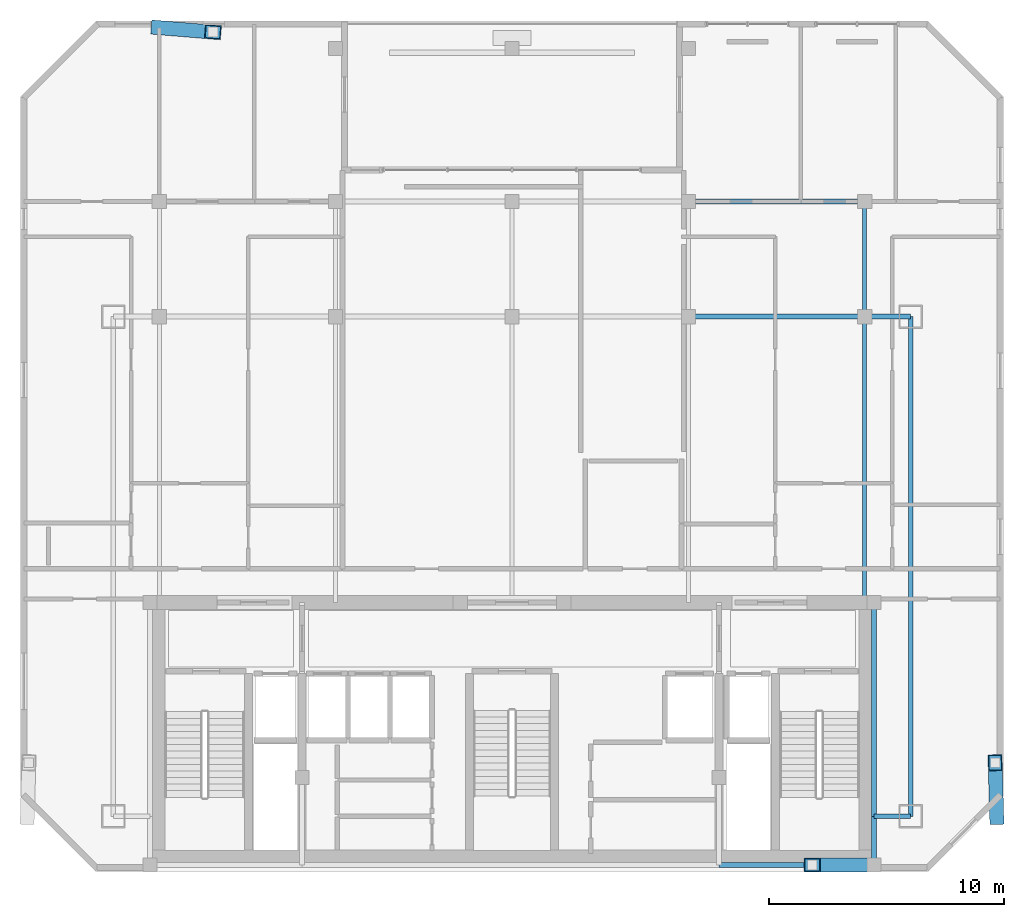
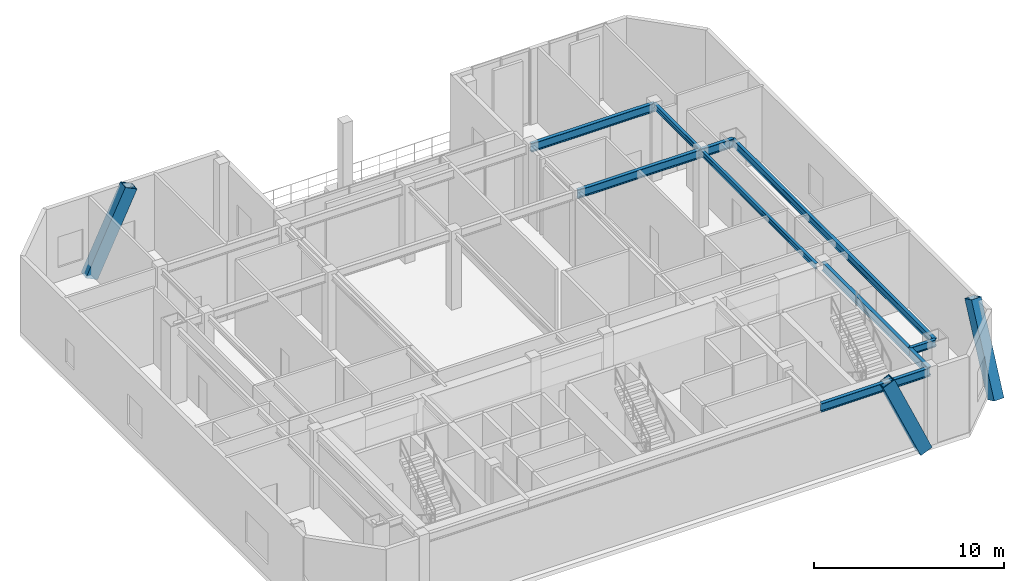
# One storey, part 5 of 12: 10 beams, 3 members.
"""IFC4 building model written with IfcOpenShell, lengths in metres."""

from ifc_helpers import new_model, si_unit, direction, frame, origin, origin_2d, place, context, subcontext, project, spatial, hollow_rectangle, i_section, extrude, material, material_profile, profile_set, type_object, element, save


model = new_model("IFC4")

# Units and contexts
model_context = context("Model", 3, precision=1e-05, world=origin(), true_north=direction((0.0, 1.0)))
body_context = subcontext(model_context, "Body", "Model", "MODEL_VIEW")
ifc_project = project(units=[si_unit("LENGTHUNIT", "METRE"), si_unit("AREAUNIT", "SQUARE_METRE"), si_unit("VOLUMEUNIT", "CUBIC_METRE"), si_unit("PLANEANGLEUNIT", "RADIAN"), si_unit("MASSUNIT", "GRAM", prefix="KILO")], contexts=[model_context])

# Site, building, storey
site_placement = place(None, origin())
site = spatial("IfcSite", under=ifc_project, at=site_placement, CompositionType="ELEMENT")
building_placement = place(site_placement, origin())
building = spatial("IfcBuilding", under=site, at=building_placement, Name="Ventersveld Concourse Tower", CompositionType="ELEMENT")
storey_placement = place(building_placement, frame((0.0, 0.0, 251.699951171875)))
storey = spatial("IfcBuildingStorey", under=building, at=storey_placement, Name="L62", CompositionType="ELEMENT", Elevation=251.699951171875)

# Beams
ifc_material_1 = material(Name="Structural steel S355J2", Category="steel")
ifc_material_profile_1 = material_profile(ifc_material_1, i_section(OverallWidth=0.17138671875, OverallDepth=0.35498046875, WebThickness=0.00732421875, FlangeThickness=0.011474609375, FilletRadius=0.01025390625, at=origin_2d()), Name="UB 356x171x51")
ifc_profile_set_1 = profile_set([ifc_material_profile_1], Name="Structural steel S355J2")
beam_type_1 = type_object("IfcBeamType", Name="BM-UB356", PredefinedType="BEAM", material=ifc_profile_set_1)
beam_1_placement = place(storey_placement, frame((43.75, 11.449951171875, 4.672607421875), z_axis=(0.0, 1.0, 0.0), x_axis=(-1.0, 0.0, 0.0)))
element("IfcBeam", 1, at=beam_1_placement, inside=storey, type_object=beam_type_1, Name="L62 N-S Composite Floor Beam South X=43.75", PredefinedType="BEAM", context=body_context, shape_type="SweptSolid", body=[
    extrude(i_section(OverallWidth=0.17138671875, OverallDepth=0.35498046875, WebThickness=0.00732421875, FlangeThickness=0.011474609375, FilletRadius=0.01025390625, at=origin_2d()), origin(), (0.0, 0.0, 1.0), 12.150146484375),
])
beam_2_placement = place(storey_placement, frame((43.75, 23.60009765625, 4.672607421875), z_axis=(0.0, 1.0, 0.0), x_axis=(-1.0, 0.0, 0.0)))
element("IfcBeam", 2, at=beam_2_placement, inside=storey, type_object=beam_type_1, Name="L62 N-S Upper-Zone Floor Beam X=43.75", PredefinedType="BEAM", context=body_context, shape_type="SweptSolid", body=[
    extrude(i_section(OverallWidth=0.17138671875, OverallDepth=0.35498046875, WebThickness=0.00732421875, FlangeThickness=0.011474609375, FilletRadius=0.01025390625, at=origin_2d()), origin(), (0.0, 0.0, 1.0), 4.89990234375),
])
ifc_material_profile_2 = material_profile(ifc_material_1, i_section(OverallWidth=0.2119140625, OverallDepth=0.54443359375, WebThickness=0.0126953125, FlangeThickness=0.021240234375, FilletRadius=0.0126953125, at=origin_2d()), Name="UB 533x210x122")
ifc_profile_set_2 = profile_set([ifc_material_profile_2], Name="Structural steel S355J2")
beam_type_2 = type_object("IfcBeamType", Name="GRD-UB533H", PredefinedType="T_BEAM", material=ifc_profile_set_2)
beam_3_placement = place(storey_placement, frame((44.14990234375, 0.280029296875, 4.577880859375), z_axis=(0.0, 1.0, 0.0), x_axis=(-1.0, 0.0, 0.0)))
element("IfcBeam", 3, at=beam_3_placement, inside=storey, type_object=beam_type_2, Name="L62 Core East Tie Beam S", PredefinedType="T_BEAM", context=body_context, shape_type="SweptSolid", body=[
    extrude(i_section(OverallWidth=0.2119140625, OverallDepth=0.54443359375, WebThickness=0.0126953125, FlangeThickness=0.021240234375, FilletRadius=0.0126953125, at=origin_2d()), origin(), (0.0, 0.0, 1.0), 2.070068359375),
])
beam_4_placement = place(storey_placement, frame((44.14990234375, 2.35009765625, 4.577880859375), z_axis=(0.0, 1.0, 0.0), x_axis=(-1.0, 0.0, 0.0)))
element("IfcBeam", 4, at=beam_4_placement, inside=storey, type_object=beam_type_2, Name="L62 Core East Tie Beam N", PredefinedType="T_BEAM", context=body_context, shape_type="SweptSolid", body=[
    extrude(i_section(OverallWidth=0.2119140625, OverallDepth=0.54443359375, WebThickness=0.0126953125, FlangeThickness=0.021240234375, FilletRadius=0.0126953125, at=origin_2d()), origin(), (0.0, 0.0, 1.0), 9.099853515625),
])
beam_5_placement = place(storey_placement, frame((37.550048828125, 0.280029296875, 4.577880859375), z_axis=(1.0, 0.0, 0.0), x_axis=(0.0, 1.0, 0.0)))
element("IfcBeam", 5, at=beam_5_placement, inside=storey, type_object=beam_type_2, Name="L62 Core South Tie Beam E", PredefinedType="T_BEAM", context=body_context, shape_type="SweptSolid", body=[
    extrude(i_section(OverallWidth=0.2119140625, OverallDepth=0.54443359375, WebThickness=0.0126953125, FlangeThickness=0.021240234375, FilletRadius=0.0126953125, at=origin_2d()), origin(), (0.0, 0.0, 1.0), 6.599853515625),
])
beam_6_placement = place(storey_placement, frame((36.25, 23.60009765625, 4.577880859375), z_axis=(1.0, 0.0, 0.0), x_axis=(0.0, 1.0, 0.0)))
element("IfcBeam", 6, at=beam_6_placement, inside=storey, type_object=beam_type_2, Name="L62 Primary E-W Grid Girder Y=23.60 #5", PredefinedType="T_BEAM", context=body_context, shape_type="SweptSolid", body=[
    extrude(i_section(OverallWidth=0.2119140625, OverallDepth=0.54443359375, WebThickness=0.0126953125, FlangeThickness=0.021240234375, FilletRadius=0.0126953125, at=origin_2d()), origin(), (0.0, 0.0, 1.0), 7.5),
])
beam_7_placement = place(storey_placement, frame((43.75, 23.60009765625, 4.577880859375), z_axis=(1.0, 0.0, 0.0), x_axis=(0.0, 1.0, 0.0)))
element("IfcBeam", 7, at=beam_7_placement, inside=storey, type_object=beam_type_2, Name="L62 Primary E-W Grid Girder Y=23.60 #6", PredefinedType="T_BEAM", context=body_context, shape_type="SweptSolid", body=[
    extrude(i_section(OverallWidth=0.2119140625, OverallDepth=0.54443359375, WebThickness=0.0126953125, FlangeThickness=0.021240234375, FilletRadius=0.0126953125, at=origin_2d()), origin(), (0.0, 0.0, 1.0), 1.949951171875),
])
beam_8_placement = place(storey_placement, frame((36.25, 28.5, 4.577880859375), z_axis=(1.0, 0.0, 0.0), x_axis=(0.0, 1.0, 0.0)))
element("IfcBeam", 8, at=beam_8_placement, inside=storey, type_object=beam_type_2, Name="L62 Upper-North E-W Girder Y=28.50 #4", PredefinedType="T_BEAM", context=body_context, shape_type="SweptSolid", body=[
    extrude(i_section(OverallWidth=0.2119140625, OverallDepth=0.54443359375, WebThickness=0.0126953125, FlangeThickness=0.021240234375, FilletRadius=0.0126953125, at=origin_2d()), origin(), (0.0, 0.0, 1.0), 7.5),
])

# Members
ifc_material_2 = material(Name="Structural steel S355ML", Category="steel")
ifc_material_profile_3 = material_profile(ifc_material_2, hollow_rectangle(XDim=0.60009765625, YDim=0.75, WallThickness=0.0400390625, at=origin_2d()), Name="BOX 750x600x40")
ifc_profile_set_3 = profile_set([ifc_material_profile_3], Name="Structural steel S355ML")
member_type = type_object("IfcMemberType", Name="MB-750x600", PredefinedType="BRACE", material=ifc_profile_set_3)
member_1_placement = place(storey_placement, frame((13.75, 35.891845703125, -0.280029296875), z_axis=(0.40612529487, -0.033420048342, 0.913206080376), x_axis=(0.082012782502, 0.996631277608, 0.0)))
element("IfcMember", 9, at=member_1_placement, inside=storey, type_object=member_type, Name="L62 Exterior Mega-Brace N (Module M15)", PredefinedType="BRACE", context=body_context, shape_type="SweptSolid", body=[
    extrude(hollow_rectangle(XDim=0.60009765625, YDim=0.75, WallThickness=0.0400390625, at=origin_2d()), origin(), (0.0, 0.0, 1.0), 5.61767578125),
])
member_2_placement = place(storey_placement, frame((43.800048828125, 0.280029296875, -0.280029296875), z_axis=(-0.406388587985, 0.0, 0.91370034232), x_axis=(0.0, -1.0, 0.0)))
element("IfcMember", 10, at=member_2_placement, inside=storey, type_object=member_type, Name="L62 Exterior Mega-Brace S (Module M15)", PredefinedType="BRACE", context=body_context, shape_type="SweptSolid", body=[
    extrude(hollow_rectangle(XDim=0.60009765625, YDim=0.75, WallThickness=0.0400390625, at=origin_2d()), origin(), (0.0, 0.0, 1.0), 5.61474609375),
])
member_3_placement = place(storey_placement, frame((49.364501953125, 2.35009765625, -0.280029296875), z_axis=(-0.011565808268, 0.406325106269, 0.913655372717), x_axis=(-0.999595134419, -0.028452895212, 0.0)))
element("IfcMember", 11, at=member_3_placement, inside=storey, type_object=member_type, Name="L62 Exterior Mega-Brace E (Module M15)", PredefinedType="BRACE", context=body_context, shape_type="SweptSolid", body=[
    extrude(hollow_rectangle(XDim=0.60009765625, YDim=0.75, WallThickness=0.0400390625, at=origin_2d()), origin(), (0.0, 0.0, 1.0), 5.614990234375),
])

# Beams
ifc_material_profile_4 = material_profile(ifc_material_1, i_section(OverallWidth=0.19140625, OverallDepth=0.4599609375, WebThickness=0.010009765625, FlangeThickness=0.01611328125, FilletRadius=0.01025390625, at=origin_2d()), Name="UB 457x191x82")
ifc_profile_set_4 = profile_set([ifc_material_profile_4], Name="Structural steel S355J2")
beam_type_3 = type_object("IfcBeamType", Name="SPD-UB457", PredefinedType="SPANDREL", material=ifc_profile_set_4)
beam_9_placement = place(storey_placement, frame((44.14990234375, 2.35009765625, 4.6201171875), z_axis=(1.0, 0.0, 0.0), x_axis=(0.0, 1.0, 0.0)))
element("IfcBeam", 12, at=beam_9_placement, inside=storey, type_object=beam_type_3, Name="L62 SE Spandrel Beam", PredefinedType="SPANDREL", context=body_context, shape_type="SweptSolid", body=[
    extrude(i_section(OverallWidth=0.19140625, OverallDepth=0.4599609375, WebThickness=0.010009765625, FlangeThickness=0.01611328125, FilletRadius=0.01025390625, at=origin_2d()), origin(), (0.0, 0.0, 1.0), 1.550048828125),
])
beam_10_placement = place(storey_placement, frame((45.699951171875, 2.35009765625, 4.6201171875), z_axis=(0.0, 1.0, 0.0), x_axis=(-1.0, 0.0, 0.0)))
element("IfcBeam", 13, at=beam_10_placement, inside=storey, type_object=beam_type_3, Name="L62 East Spandrel Beam", PredefinedType="SPANDREL", context=body_context, shape_type="SweptSolid", body=[
    extrude(i_section(OverallWidth=0.19140625, OverallDepth=0.4599609375, WebThickness=0.010009765625, FlangeThickness=0.01611328125, FilletRadius=0.01025390625, at=origin_2d()), origin(), (0.0, 0.0, 1.0), 21.25),
])

save(model, "model.ifc")
